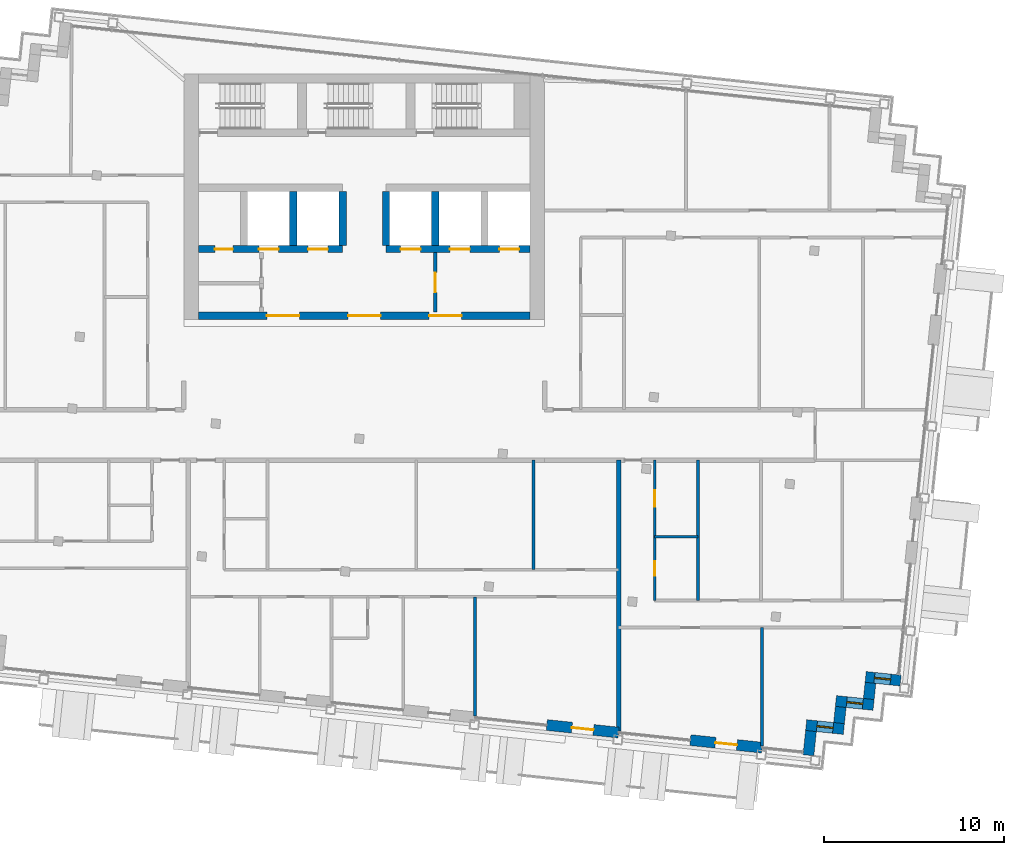
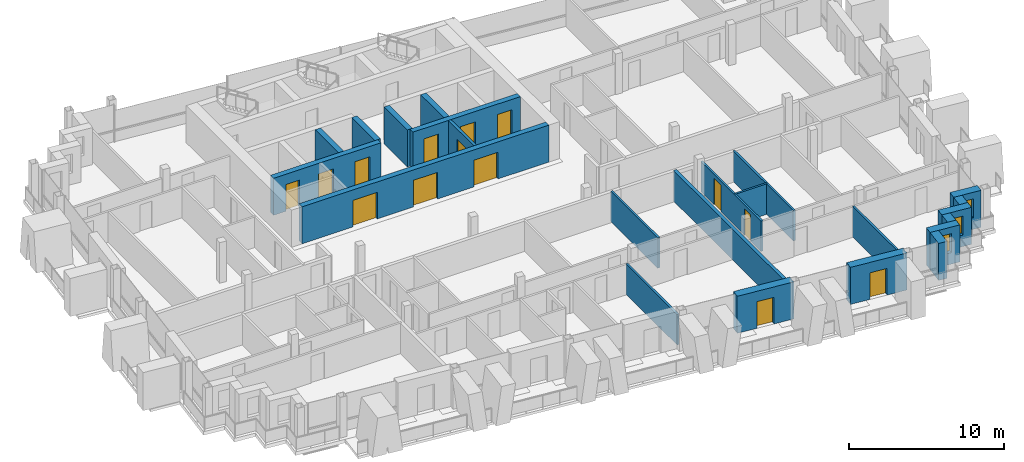
# One storey, part 10 of 16: 23 walls, 14 doors, 3 windows, 17 openings.
"""IFC4 building model written with IfcOpenShell, lengths in metres."""

from ifc_helpers import new_model, si_unit, direction, frame, frame_2d, origin, place, context, subcontext, project, spatial, rectangle, extrude, material, layer, layer_set, type_object, element, fill, save


model = new_model("IFC4")

# Units and contexts
model_context = context("Model", 3, precision=1e-05, world=origin(), true_north=direction((0.0, 1.0)))
body_context = subcontext(model_context, "Body", "Model", "MODEL_VIEW")
ifc_project = project(units=[si_unit("LENGTHUNIT", "METRE"), si_unit("AREAUNIT", "SQUARE_METRE"), si_unit("VOLUMEUNIT", "CUBIC_METRE"), si_unit("PLANEANGLEUNIT", "RADIAN"), si_unit("MASSUNIT", "GRAM", prefix="KILO")], contexts=[model_context])

# Site, building, storey
site_placement = place(None, origin())
site = spatial("IfcSite", under=ifc_project, at=site_placement, CompositionType="ELEMENT")
building_placement = place(site_placement, origin())
building = spatial("IfcBuilding", under=site, at=building_placement, Name="Vidyagriha Tower", CompositionType="ELEMENT")
storey_placement = place(building_placement, frame((0.0, 0.0, 259.5)))
storey = spatial("IfcBuildingStorey", under=building, at=storey_placement, Name="L67", CompositionType="ELEMENT", Elevation=259.5)

# Wall, opening, door
ifc_material_1 = material(Name="Precast concrete C40/50 with brick facing", Category="concrete")
ifc_layer_1 = layer(ifc_material_1, 0.60009765625)
ifc_layer_set_1 = layer_set([ifc_layer_1], Name="Precast concrete C40/50 with brick facing")
wall_type_1 = type_object("IfcWallType", Name="Brick-faced precast wall 600", PredefinedType="STANDARD", material=ifc_layer_set_1)
wall_1_placement = place(storey_placement, frame((10.1201171875, -16.085205078125, 0.0), z_axis=(0.0, 0.0, 1.0), x_axis=(0.994519156568, -0.104554517933, 0.0)))
wall_1 = element("IfcWall", 1, at=wall_1_placement, inside=storey, type_object=wall_type_1, Name="Brick door bay wall L67 R21.9", PredefinedType="STANDARD", context=body_context, shape_type="SweptSolid", body=[
    extrude(rectangle(XDim=4.0, YDim=0.60009765625, at=frame_2d((2.0, 0.0))), origin(), (0.0, 0.0, 1.0), 2.919921875),
])
opening_1_placement = place(wall_1_placement, frame((1.39990234375, 0.0, 0.0)))
opening_1 = element("IfcOpeningElement", 2, at=opening_1_placement, cuts=wall_1, Name="Opening D67-59", PredefinedType="OPENING", context=body_context, shape_type="SweptSolid", body=[
    extrude(rectangle(XDim=1.199951171875, YDim=2.10009765625, at=frame_2d((0.60009765625, 1.050048828125))), frame((0.0, 0.31005859375, 0.0), z_axis=(0.0, -1.0, 0.0), x_axis=(1.0, 0.0, 0.0)), (0.0, 0.0, 1.0), 0.6201171875),
])
ifc_material_2 = material(Name="Aluminium framed glazed sliding door", Category="aluminium")
door_type_1 = type_object("IfcDoorType", Name="Balcony sliding door 1200x2100", OperationType="NOTDEFINED", PredefinedType="DOOR", material=ifc_material_2)
door_1_placement = place(opening_1_placement, origin())
door_1 = element("IfcDoor", 3, at=door_1_placement, inside=storey, type_object=door_type_1, Name="Door D67-59", OperationType="SLIDING_TO_LEFT", OverallHeight=2.10009765625, OverallWidth=1.199951171875, PredefinedType="DOOR", context=body_context, shape_type="SweptSolid", body=[
    extrude(rectangle(XDim=1.199951171875, YDim=2.10009765625, at=frame_2d((0.60009765625, 1.050048828125))), frame((0.0, 0.02490234375, 0.0), z_axis=(0.0, -1.0, 0.0), x_axis=(1.0, 0.0, 0.0)), (0.0, 0.0, 1.0), 0.050048828125),
])
fill(opening_1, door_1)

wall_2_placement = place(storey_placement, frame((18.076171875, -16.92138671875, 0.0), z_axis=(0.0, 0.0, 1.0), x_axis=(0.994519156568, -0.104554517933, 0.0)))
wall_2 = element("IfcWall", 4, at=wall_2_placement, inside=storey, type_object=wall_type_1, Name="Brick door bay wall L67 R21.11", PredefinedType="STANDARD", context=body_context, shape_type="SweptSolid", body=[
    extrude(rectangle(XDim=4.0, YDim=0.60009765625, at=frame_2d((2.0, 0.0))), origin(), (0.0, 0.0, 1.0), 2.919921875),
])
opening_2_placement = place(wall_2_placement, frame((1.39990234375, 0.0, 0.0)))
opening_2 = element("IfcOpeningElement", 5, at=opening_2_placement, cuts=wall_2, Name="Opening D67-60", PredefinedType="OPENING", context=body_context, shape_type="SweptSolid", body=[
    extrude(rectangle(XDim=1.199951171875, YDim=2.10009765625, at=frame_2d((0.60009765625, 1.050048828125))), frame((0.0, 0.31005859375, 0.0), z_axis=(0.0, -1.0, 0.0), x_axis=(1.0, 0.0, 0.0)), (0.0, 0.0, 1.0), 0.6201171875),
])
door_2_placement = place(opening_2_placement, origin())
door_2 = element("IfcDoor", 6, at=door_2_placement, inside=storey, type_object=door_type_1, Name="Door D67-60", OperationType="SLIDING_TO_LEFT", OverallHeight=2.10009765625, OverallWidth=1.199951171875, PredefinedType="DOOR", context=body_context, shape_type="SweptSolid", body=[
    extrude(rectangle(XDim=1.199951171875, YDim=2.10009765625, at=frame_2d((0.60009765625, 1.050048828125))), frame((0.0, 0.02490234375, 0.0), z_axis=(0.0, -1.0, 0.0), x_axis=(1.0, 0.0, 0.0)), (0.0, 0.0, 1.0), 0.050048828125),
])
fill(opening_2, door_2)

# Wall
wall_3_placement = place(storey_placement, frame((24.62451171875, -17.760498046875, 0.0), z_axis=(0.0, 0.0, 1.0), x_axis=(0.104355269718, 0.994540083497, 0.0)))
element("IfcWall", 7, at=wall_3_placement, inside=storey, type_object=wall_type_1, Name="Stepped corner wall L67 R22", PredefinedType="STANDARD", context=body_context, shape_type="SweptSolid", body=[
    extrude(rectangle(XDim=1.349853515625, YDim=0.60009765625, at=frame_2d((0.6748046875, 0.0))), origin(), (0.0, 0.0, 1.0), 2.919921875),
])

# Wall, opening, window
wall_4_placement = place(storey_placement, frame((24.49853515625, -16.088134765625, 0.0), z_axis=(0.0, 0.0, 1.0), x_axis=(0.994522640205, -0.104521376379, 0.0)))
wall_4 = element("IfcWall", 8, at=wall_4_placement, inside=storey, type_object=wall_type_1, Name="Stepped corner wall L67 R23", PredefinedType="STANDARD", context=body_context, shape_type="SweptSolid", body=[
    extrude(rectangle(XDim=2.099853515625, YDim=0.60009765625, at=frame_2d((1.0498046875, 0.0))), origin(), (0.0, 0.0, 1.0), 2.919921875),
])
opening_3_placement = place(wall_4_placement, frame((0.60009765625, 0.0, 0.89990234375)))
opening_3 = element("IfcOpeningElement", 9, at=opening_3_placement, cuts=wall_4, Name="Opening WN1", PredefinedType="OPENING", context=body_context, shape_type="SweptSolid", body=[
    extrude(rectangle(XDim=0.89990234375, YDim=1.5, at=frame_2d((0.449951171875, 0.75))), frame((0.0, 0.31005859375, 0.0), z_axis=(0.0, -1.0, 0.0), x_axis=(1.0, 0.0, 0.0)), (0.0, 0.0, 1.0), 0.6201171875),
])
ifc_material_3 = material(Name="Aluminium and glass window", Category="aluminium")
window_type = type_object("IfcWindowType", Name="Reveal window 900x1500", PartitioningType="NOTDEFINED", PredefinedType="WINDOW", material=ifc_material_3)
window_1_placement = place(opening_3_placement, origin())
window_1 = element("IfcWindow", 10, at=window_1_placement, inside=storey, type_object=window_type, Name="Reveal window L67 R23", OverallHeight=1.5, OverallWidth=0.89990234375, PartitioningType="SINGLE_PANEL", PredefinedType="WINDOW", context=body_context, shape_type="SweptSolid", body=[
    extrude(rectangle(XDim=0.89990234375, YDim=1.5, at=frame_2d((0.449951171875, 0.75))), frame((0.0, 0.030029296875, 0.0), z_axis=(0.0, -1.0, 0.0), x_axis=(1.0, 0.0, 0.0)), (0.0, 0.0, 1.0), 0.06005859375),
])
fill(opening_3, window_1)

# Wall
wall_5_placement = place(storey_placement, frame((26.320068359375, -15.97802734375, 0.0), z_axis=(0.0, 0.0, 1.0), x_axis=(0.104444712852, 0.994530694326, 0.0)))
element("IfcWall", 11, at=wall_5_placement, inside=storey, type_object=wall_type_1, Name="Stepped corner wall L67 R24", PredefinedType="STANDARD", context=body_context, shape_type="SweptSolid", body=[
    extrude(rectangle(XDim=0.89990234375, YDim=0.60009765625, at=frame_2d((0.449951171875, 0.0))), origin(), (0.0, 0.0, 1.0), 2.919921875),
])

# Wall, opening, window
wall_6_placement = place(storey_placement, frame((26.147216796875, -14.753173828125, 0.0), z_axis=(0.0, 0.0, 1.0), x_axis=(0.994522640205, -0.104521376379, 0.0)))
wall_6 = element("IfcWall", 12, at=wall_6_placement, inside=storey, type_object=wall_type_1, Name="Stepped corner wall L67 R25", PredefinedType="STANDARD", context=body_context, shape_type="SweptSolid", body=[
    extrude(rectangle(XDim=2.099853515625, YDim=0.60009765625, at=frame_2d((1.0498046875, 0.0))), origin(), (0.0, 0.0, 1.0), 2.919921875),
])
opening_4_placement = place(wall_6_placement, frame((0.599853515625, 0.0, 0.89990234375)))
opening_4 = element("IfcOpeningElement", 13, at=opening_4_placement, cuts=wall_6, Name="Opening WN1", PredefinedType="OPENING", context=body_context, shape_type="SweptSolid", body=[
    extrude(rectangle(XDim=0.89990234375, YDim=1.5, at=frame_2d((0.449951171875, 0.75))), frame((0.0, 0.31005859375, 0.0), z_axis=(0.0, -1.0, 0.0), x_axis=(1.0, 0.0, 0.0)), (0.0, 0.0, 1.0), 0.6201171875),
])
window_2_placement = place(opening_4_placement, origin())
window_2 = element("IfcWindow", 14, at=window_2_placement, inside=storey, type_object=window_type, Name="Reveal window L67 R25", OverallHeight=1.5, OverallWidth=0.89990234375, PartitioningType="SINGLE_PANEL", PredefinedType="WINDOW", context=body_context, shape_type="SweptSolid", body=[
    extrude(rectangle(XDim=0.89990234375, YDim=1.5, at=frame_2d((0.449951171875, 0.75))), frame((0.0, 0.030029296875, 0.0), z_axis=(0.0, -1.0, 0.0), x_axis=(1.0, 0.0, 0.0)), (0.0, 0.0, 1.0), 0.06005859375),
])
fill(opening_4, window_2)

# Wall
wall_7_placement = place(storey_placement, frame((27.968505859375, -14.64306640625, 0.0), z_axis=(0.0, 0.0, 1.0), x_axis=(0.104416541099, 0.994533652495, 0.0)))
element("IfcWall", 15, at=wall_7_placement, inside=storey, type_object=wall_type_1, Name="Stepped corner wall L67 R26", PredefinedType="STANDARD", context=body_context, shape_type="SweptSolid", body=[
    extrude(rectangle(XDim=0.900146484375, YDim=0.60009765625, at=frame_2d((0.4501953125, 0.0))), origin(), (0.0, 0.0, 1.0), 2.919921875),
])

# Wall, opening, window
wall_8_placement = place(storey_placement, frame((27.795654296875, -13.418212890625, 0.0), z_axis=(0.0, 0.0, 1.0), x_axis=(0.994519850893, -0.104547913319, 0.0)))
wall_8 = element("IfcWall", 16, at=wall_8_placement, inside=storey, type_object=wall_type_1, Name="Stepped corner wall L67 R27", PredefinedType="STANDARD", context=body_context, shape_type="SweptSolid", body=[
    extrude(rectangle(XDim=1.949951171875, YDim=0.60009765625, at=frame_2d((0.97509765625, 0.0))), origin(), (0.0, 0.0, 1.0), 2.919921875),
])
opening_5_placement = place(wall_8_placement, frame((0.489990234375, 0.0, 0.89990234375)))
opening_5 = element("IfcOpeningElement", 17, at=opening_5_placement, cuts=wall_8, Name="Opening WN1", PredefinedType="OPENING", context=body_context, shape_type="SweptSolid", body=[
    extrude(rectangle(XDim=0.89990234375, YDim=1.5, at=frame_2d((0.449951171875, 0.75))), frame((0.0, 0.31005859375, 0.0), z_axis=(0.0, -1.0, 0.0), x_axis=(1.0, 0.0, 0.0)), (0.0, 0.0, 1.0), 0.6201171875),
])
window_3_placement = place(opening_5_placement, origin())
window_3 = element("IfcWindow", 18, at=window_3_placement, inside=storey, type_object=window_type, Name="Reveal window L67 R27", OverallHeight=1.5, OverallWidth=0.89990234375, PartitioningType="SINGLE_PANEL", PredefinedType="WINDOW", context=body_context, shape_type="SweptSolid", body=[
    extrude(rectangle(XDim=0.89990234375, YDim=1.5, at=frame_2d((0.449951171875, 0.75))), frame((0.0, 0.030029296875, 0.0), z_axis=(0.0, -1.0, 0.0), x_axis=(1.0, 0.0, 0.0)), (0.0, 0.0, 1.0), 0.06005859375),
])
fill(opening_5, window_3)

# Wall, openings, doors
ifc_material_4 = material(Name="Concrete C60/75", Category="concrete")
ifc_layer_2 = layer(ifc_material_4, 0.39990234375)
ifc_layer_set_2 = layer_set([ifc_layer_2], Name="Concrete C60/75")
wall_type_2 = type_object("IfcWallType", Name="Core shear wall 400 mm", PredefinedType="SHEAR", material=ifc_layer_set_2)
wall_9_placement = place(storey_placement, frame((-9.199951171875, 6.60009765625, 0.0)))
wall_9 = element("IfcWall", 19, at=wall_9_placement, inside=storey, type_object=wall_type_2, Name="Core south wall", PredefinedType="SHEAR", context=body_context, shape_type="SweptSolid", body=[
    extrude(rectangle(XDim=18.39990234375, YDim=0.39990234375, at=frame_2d((9.199951171875, 0.0))), origin(), (0.0, 0.0, 1.0), 2.919921875),
])
opening_6_placement = place(wall_9_placement, frame((8.300048828125, 0.0, 0.0)))
opening_6 = element("IfcOpeningElement", 20, at=opening_6_placement, cuts=wall_9, Name="Opening D67-01", PredefinedType="OPENING", context=body_context, shape_type="SweptSolid", body=[
    extrude(rectangle(XDim=1.800048828125, YDim=2.10009765625, at=frame_2d((0.89990234375, 1.050048828125))), frame((0.0, 0.2099609375, 0.0), z_axis=(0.0, -1.0, 0.0), x_axis=(1.0, 0.0, 0.0)), (0.0, 0.0, 1.0), 0.419921875),
])
opening_7_placement = place(wall_9_placement, frame((3.800048828125, 0.0, 0.0)))
opening_7 = element("IfcOpeningElement", 21, at=opening_7_placement, cuts=wall_9, Name="Opening D67-02", PredefinedType="OPENING", context=body_context, shape_type="SweptSolid", body=[
    extrude(rectangle(XDim=1.800048828125, YDim=2.10009765625, at=frame_2d((0.89990234375, 1.050048828125))), frame((0.0, 0.2099609375, 0.0), z_axis=(0.0, -1.0, 0.0), x_axis=(1.0, 0.0, 0.0)), (0.0, 0.0, 1.0), 0.419921875),
])
opening_8_placement = place(wall_9_placement, frame((12.800048828125, 0.0, 0.0)))
opening_8 = element("IfcOpeningElement", 22, at=opening_8_placement, cuts=wall_9, Name="Opening D67-03", PredefinedType="OPENING", context=body_context, shape_type="SweptSolid", body=[
    extrude(rectangle(XDim=1.800048828125, YDim=2.10009765625, at=frame_2d((0.89990234375, 1.050048828125))), frame((0.0, 0.2099609375, 0.0), z_axis=(0.0, -1.0, 0.0), x_axis=(1.0, 0.0, 0.0)), (0.0, 0.0, 1.0), 0.419921875),
])
ifc_material_5 = material(Name="Hollow metal door leaf")
door_type_2 = type_object("IfcDoorType", Name="Core lobby double door 1800 x 2100 mm EI 60", OperationType="NOTDEFINED", PredefinedType="DOOR", material=ifc_material_5)
door_3_placement = place(opening_6_placement, frame((1.800048828125, 0.0, 0.0), z_axis=(0.0, 0.0, 1.0), x_axis=(-1.0, 0.0, 0.0)))
door_3 = element("IfcDoor", 23, at=door_3_placement, inside=storey, type_object=door_type_2, Name="Core entrance door L67", OperationType="DOUBLE_DOOR_SINGLE_SWING", OverallHeight=2.10009765625, OverallWidth=1.800048828125, PredefinedType="DOOR", context=body_context, shape_type="SweptSolid", body=[
    extrude(rectangle(XDim=1.800048828125, YDim=2.10009765625, at=frame_2d((0.89990234375, 1.050048828125))), frame((0.0, 0.02490234375, 0.0), z_axis=(0.0, -1.0, 0.0), x_axis=(1.0, 0.0, 0.0)), (0.0, 0.0, 1.0), 0.050048828125),
])
fill(opening_6, door_3)
door_4_placement = place(opening_7_placement, frame((1.800048828125, 0.0, 0.0), z_axis=(0.0, 0.0, 1.0), x_axis=(-1.0, 0.0, 0.0)))
door_4 = element("IfcDoor", 24, at=door_4_placement, inside=storey, type_object=door_type_2, Name="Core entrance door west L67", OperationType="DOUBLE_DOOR_SINGLE_SWING", OverallHeight=2.10009765625, OverallWidth=1.800048828125, PredefinedType="DOOR", context=body_context, shape_type="SweptSolid", body=[
    extrude(rectangle(XDim=1.800048828125, YDim=2.10009765625, at=frame_2d((0.89990234375, 1.050048828125))), frame((0.0, 0.02490234375, 0.0), z_axis=(0.0, -1.0, 0.0), x_axis=(1.0, 0.0, 0.0)), (0.0, 0.0, 1.0), 0.050048828125),
])
fill(opening_7, door_4)
door_5_placement = place(opening_8_placement, frame((1.800048828125, 0.0, 0.0), z_axis=(0.0, 0.0, 1.0), x_axis=(-1.0, 0.0, 0.0)))
door_5 = element("IfcDoor", 25, at=door_5_placement, inside=storey, type_object=door_type_2, Name="Core entrance door east L67", OperationType="DOUBLE_DOOR_SINGLE_SWING", OverallHeight=2.10009765625, OverallWidth=1.800048828125, PredefinedType="DOOR", context=body_context, shape_type="SweptSolid", body=[
    extrude(rectangle(XDim=1.800048828125, YDim=2.10009765625, at=frame_2d((0.89990234375, 1.050048828125))), frame((0.0, 0.02490234375, 0.0), z_axis=(0.0, -1.0, 0.0), x_axis=(1.0, 0.0, 0.0)), (0.0, 0.0, 1.0), 0.050048828125),
])
fill(opening_8, door_5)

wall_10_placement = place(storey_placement, frame((-9.199951171875, 10.300048828125, 0.0)))
wall_10 = element("IfcWall", 26, at=wall_10_placement, inside=storey, type_object=wall_type_2, Name="Core row N front wall", PredefinedType="SHEAR", context=body_context, shape_type="SweptSolid", body=[
    extrude(rectangle(XDim=8.0, YDim=0.39990234375, at=frame_2d((4.0, 0.0))), origin(), (0.0, 0.0, 1.0), 2.919921875),
])
opening_9_placement = place(wall_10_placement, frame((3.35009765625, 0.0, 0.0)))
opening_9 = element("IfcOpeningElement", 27, at=opening_9_placement, cuts=wall_10, Name="Opening LD67-01", PredefinedType="OPENING", context=body_context, shape_type="SweptSolid", body=[
    extrude(rectangle(XDim=1.10009765625, YDim=2.10009765625, at=frame_2d((0.550048828125, 1.050048828125))), frame((0.0, 0.2099609375, 0.0), z_axis=(0.0, -1.0, 0.0), x_axis=(1.0, 0.0, 0.0)), (0.0, 0.0, 1.0), 0.419921875),
])
opening_10_placement = place(wall_10_placement, frame((6.083251953125, 0.0, 0.0)))
opening_10 = element("IfcOpeningElement", 28, at=opening_10_placement, cuts=wall_10, Name="Opening LD67-02", PredefinedType="OPENING", context=body_context, shape_type="SweptSolid", body=[
    extrude(rectangle(XDim=1.10009765625, YDim=2.10009765625, at=frame_2d((0.550048828125, 1.050048828125))), frame((0.0, 0.2099609375, 0.0), z_axis=(0.0, -1.0, 0.0), x_axis=(1.0, 0.0, 0.0)), (0.0, 0.0, 1.0), 0.419921875),
])
opening_11_placement = place(wall_10_placement, frame((0.916748046875, 0.0, 0.0)))
opening_11 = element("IfcOpeningElement", 29, at=opening_11_placement, cuts=wall_10, Name="Opening D67-04", PredefinedType="OPENING", context=body_context, shape_type="SweptSolid", body=[
    extrude(rectangle(XDim=1.0, YDim=2.10009765625, at=frame_2d((0.5, 1.050048828125))), frame((0.0, 0.2099609375, 0.0), z_axis=(0.0, -1.0, 0.0), x_axis=(1.0, 0.0, 0.0)), (0.0, 0.0, 1.0), 0.419921875),
])
ifc_material_6 = material(Name="Hollow metal door leaf")
door_type_3 = type_object("IfcDoorType", Name="Core room door 1000 x 2100 mm EI 60", OperationType="NOTDEFINED", PredefinedType="DOOR", material=ifc_material_6)
door_6_placement = place(opening_11_placement, frame((1.0, 0.0, 0.0), z_axis=(0.0, 0.0, 1.0), x_axis=(-1.0, 0.0, 0.0)))
door_6 = element("IfcDoor", 30, at=door_6_placement, inside=storey, type_object=door_type_3, Name="Door Refuse Room 67.14", OperationType="SINGLE_SWING_RIGHT", OverallHeight=2.10009765625, OverallWidth=1.0, PredefinedType="DOOR", context=body_context, shape_type="SweptSolid", body=[
    extrude(rectangle(XDim=1.0, YDim=2.10009765625, at=frame_2d((0.5, 1.050048828125))), frame((0.0, 0.02490234375, 0.0), z_axis=(0.0, -1.0, 0.0), x_axis=(1.0, 0.0, 0.0)), (0.0, 0.0, 1.0), 0.050048828125),
])
fill(opening_11, door_6)
ifc_material_7 = material(Name="Stainless steel sliding door panel", Category="steel")
door_type_4 = type_object("IfcDoorType", Name="Lift landing door 1100 x 2100 mm EI 90", OperationType="NOTDEFINED", PredefinedType="DOOR", material=ifc_material_7)
door_7_placement = place(opening_9_placement, origin())
door_7 = element("IfcDoor", 31, at=door_7_placement, inside=storey, type_object=door_type_4, Name="Landing door HR1 L67", OperationType="SLIDING_TO_LEFT", OverallHeight=2.10009765625, OverallWidth=1.10009765625, PredefinedType="DOOR", context=body_context, shape_type="SweptSolid", body=[
    extrude(rectangle(XDim=1.10009765625, YDim=2.10009765625, at=frame_2d((0.550048828125, 1.050048828125))), frame((0.0, 0.02490234375, 0.0), z_axis=(0.0, -1.0, 0.0), x_axis=(1.0, 0.0, 0.0)), (0.0, 0.0, 1.0), 0.050048828125),
])
fill(opening_9, door_7)
door_8_placement = place(opening_10_placement, origin())
door_8 = element("IfcDoor", 32, at=door_8_placement, inside=storey, type_object=door_type_4, Name="Landing door HR2 L67", OperationType="SLIDING_TO_LEFT", OverallHeight=2.10009765625, OverallWidth=1.10009765625, PredefinedType="DOOR", context=body_context, shape_type="SweptSolid", body=[
    extrude(rectangle(XDim=1.10009765625, YDim=2.10009765625, at=frame_2d((0.550048828125, 1.050048828125))), frame((0.0, 0.02490234375, 0.0), z_axis=(0.0, -1.0, 0.0), x_axis=(1.0, 0.0, 0.0)), (0.0, 0.0, 1.0), 0.050048828125),
])
fill(opening_10, door_8)

wall_11_placement = place(storey_placement, frame((1.199951171875, 10.300048828125, 0.0)))
wall_11 = element("IfcWall", 33, at=wall_11_placement, inside=storey, type_object=wall_type_2, Name="Core row N front wall", PredefinedType="SHEAR", context=body_context, shape_type="SweptSolid", body=[
    extrude(rectangle(XDim=8.0, YDim=0.39990234375, at=frame_2d((4.0, 0.0))), origin(), (0.0, 0.0, 1.0), 2.919921875),
])
opening_12_placement = place(wall_11_placement, frame((0.816650390625, 0.0, 0.0)))
opening_12 = element("IfcOpeningElement", 34, at=opening_12_placement, cuts=wall_11, Name="Opening LD67-03", PredefinedType="OPENING", context=body_context, shape_type="SweptSolid", body=[
    extrude(rectangle(XDim=1.10009765625, YDim=2.10009765625, at=frame_2d((0.550048828125, 1.050048828125))), frame((0.0, 0.2099609375, 0.0), z_axis=(0.0, -1.0, 0.0), x_axis=(1.0, 0.0, 0.0)), (0.0, 0.0, 1.0), 0.419921875),
])
opening_13_placement = place(wall_11_placement, frame((3.550048828125, 0.0, 0.0)))
opening_13 = element("IfcOpeningElement", 35, at=opening_13_placement, cuts=wall_11, Name="Opening LD67-04", PredefinedType="OPENING", context=body_context, shape_type="SweptSolid", body=[
    extrude(rectangle(XDim=1.10009765625, YDim=2.10009765625, at=frame_2d((0.550048828125, 1.050048828125))), frame((0.0, 0.2099609375, 0.0), z_axis=(0.0, -1.0, 0.0), x_axis=(1.0, 0.0, 0.0)), (0.0, 0.0, 1.0), 0.419921875),
])
opening_14_placement = place(wall_11_placement, frame((6.283203125, 0.0, 0.0)))
opening_14 = element("IfcOpeningElement", 36, at=opening_14_placement, cuts=wall_11, Name="Opening LD67-05", PredefinedType="OPENING", context=body_context, shape_type="SweptSolid", body=[
    extrude(rectangle(XDim=1.10009765625, YDim=2.10009765625, at=frame_2d((0.550048828125, 1.050048828125))), frame((0.0, 0.2099609375, 0.0), z_axis=(0.0, -1.0, 0.0), x_axis=(1.0, 0.0, 0.0)), (0.0, 0.0, 1.0), 0.419921875),
])
door_9_placement = place(opening_12_placement, origin())
door_9 = element("IfcDoor", 37, at=door_9_placement, inside=storey, type_object=door_type_4, Name="Landing door HR3 L67", OperationType="SLIDING_TO_LEFT", OverallHeight=2.10009765625, OverallWidth=1.10009765625, PredefinedType="DOOR", context=body_context, shape_type="SweptSolid", body=[
    extrude(rectangle(XDim=1.10009765625, YDim=2.10009765625, at=frame_2d((0.550048828125, 1.050048828125))), frame((0.0, 0.02490234375, 0.0), z_axis=(0.0, -1.0, 0.0), x_axis=(1.0, 0.0, 0.0)), (0.0, 0.0, 1.0), 0.050048828125),
])
fill(opening_12, door_9)
door_10_placement = place(opening_13_placement, origin())
door_10 = element("IfcDoor", 38, at=door_10_placement, inside=storey, type_object=door_type_4, Name="Landing door FF1 L67", OperationType="SLIDING_TO_LEFT", OverallHeight=2.10009765625, OverallWidth=1.10009765625, PredefinedType="DOOR", context=body_context, shape_type="SweptSolid", body=[
    extrude(rectangle(XDim=1.10009765625, YDim=2.10009765625, at=frame_2d((0.550048828125, 1.050048828125))), frame((0.0, 0.02490234375, 0.0), z_axis=(0.0, -1.0, 0.0), x_axis=(1.0, 0.0, 0.0)), (0.0, 0.0, 1.0), 0.050048828125),
])
fill(opening_13, door_10)
door_11_placement = place(opening_14_placement, origin())
door_11 = element("IfcDoor", 39, at=door_11_placement, inside=storey, type_object=door_type_4, Name="Landing door FF2 L67", OperationType="SLIDING_TO_LEFT", OverallHeight=2.10009765625, OverallWidth=1.10009765625, PredefinedType="DOOR", context=body_context, shape_type="SweptSolid", body=[
    extrude(rectangle(XDim=1.10009765625, YDim=2.10009765625, at=frame_2d((0.550048828125, 1.050048828125))), frame((0.0, 0.02490234375, 0.0), z_axis=(0.0, -1.0, 0.0), x_axis=(1.0, 0.0, 0.0)), (0.0, 0.0, 1.0), 0.050048828125),
])
fill(opening_14, door_11)

# Walls
for number, where, z_axis, x_axis, name in (
    (40, (-3.933349609375, 10.5, 0.0), (0.0, 0.0, 1.0), (0.0, 1.0, 0.0), "Core bay wall N2"),
    (41, (-1.199951171875, 10.5, 0.0), (0.0, 0.0, 1.0), (0.0, 1.0, 0.0), "Core bay wall N3"),
    (42, (1.199951171875, 10.5, 0.0), (0.0, 0.0, 1.0), (0.0, 1.0, 0.0), "Core bay wall N4"),
    (43, (3.933349609375, 10.5, 0.0), (0.0, 0.0, 1.0), (0.0, 1.0, 0.0), "Core bay wall N5"),
):
    element("IfcWall", number, at=place(storey_placement, frame(where, z_axis=z_axis, x_axis=x_axis)), inside=storey, type_object=wall_type_2, Name=name, PredefinedType="SHEAR", context=body_context, shape_type="SweptSolid", body=[
        extrude(rectangle(XDim=3.0, YDim=0.39990234375, at=frame_2d((1.5, 0.0))), origin(), (0.0, 0.0, 1.0), 2.919921875),
    ])
ifc_material_8 = material(Name="Fired clay brick masonry", Category="masonry")
ifc_layer_3 = layer(ifc_material_8, 0.25)
ifc_layer_set_3 = layer_set([ifc_layer_3], Name="Fired clay brick masonry")
wall_type_3 = type_object("IfcWallType", Name="Fired clay brick demising wall 250", PredefinedType="PARTITIONING", material=ifc_layer_set_3)
wall_12_placement = place(storey_placement, frame((14.097900390625, -1.39990234375, 0.0), z_axis=(0.0, 0.0, 1.0), x_axis=(0.0, -1.0, 0.0)))
element("IfcWall", 44, at=wall_12_placement, inside=storey, type_object=wall_type_3, Name="Wall all-L67-w055", PredefinedType="PARTITIONING", context=body_context, shape_type="SweptSolid", body=[
    extrude(rectangle(XDim=15.012939453125, YDim=0.25, at=frame_2d((7.50634765625, 0.0))), origin(), (0.0, 0.0, 1.0), 2.39990234375),
])
ifc_material_9 = material(Name="Gypsum board partition")
ifc_layer_4 = layer(ifc_material_9, 0.14990234375)
ifc_layer_set_4 = layer_set([ifc_layer_4], Name="Gypsum board partition")
wall_type_4 = type_object("IfcWallType", Name="Gypsum board partition 150", PredefinedType="PARTITIONING", material=ifc_layer_set_4)
wall_13_placement = place(storey_placement, frame((9.3798828125, -1.39990234375, 0.0), z_axis=(0.0, 0.0, 1.0), x_axis=(0.0, -1.0, 0.0)))
element("IfcWall", 45, at=wall_13_placement, inside=storey, type_object=wall_type_4, Name="Wall all-L67-w019", PredefinedType="PARTITIONING", context=body_context, shape_type="SweptSolid", body=[
    extrude(rectangle(XDim=6.07470703125, YDim=0.14990234375, at=frame_2d((3.037353515625, 0.0))), origin(), (0.0, 0.0, 1.0), 2.39990234375),
])
wall_14_placement = place(storey_placement, frame((6.141845703125, -8.974609375, 0.0), z_axis=(0.0, 0.0, 1.0), x_axis=(0.0, -1.0, 0.0)))
element("IfcWall", 46, at=wall_14_placement, inside=storey, type_object=wall_type_4, Name="Wall all-L67-w033", PredefinedType="PARTITIONING", context=body_context, shape_type="SweptSolid", body=[
    extrude(rectangle(XDim=6.60205078125, YDim=0.14990234375, at=frame_2d((3.301025390625, 0.0))), origin(), (0.0, 0.0, 1.0), 2.39990234375),
])
wall_15_placement = place(storey_placement, frame((18.498046875, -5.64990234375, 0.0), z_axis=(0.0, 0.0, 1.0), x_axis=(-1.0, 0.0, 0.0)))
element("IfcWall", 47, at=wall_15_placement, inside=storey, type_object=wall_type_4, Name="Wall all-L67-w042", PredefinedType="PARTITIONING", context=body_context, shape_type="SweptSolid", body=[
    extrude(rectangle(XDim=2.400146484375, YDim=0.14990234375, at=frame_2d((1.2001953125, 0.0))), origin(), (0.0, 0.0, 1.0), 2.39990234375),
])
wall_16_placement = place(storey_placement, frame((18.498046875, -1.39990234375, 0.0), z_axis=(0.0, 0.0, 1.0), x_axis=(0.0, -1.0, 0.0)))
element("IfcWall", 48, at=wall_16_placement, inside=storey, type_object=wall_type_4, Name="Wall all-L67-w043", PredefinedType="PARTITIONING", context=body_context, shape_type="SweptSolid", body=[
    extrude(rectangle(XDim=7.78173828125, YDim=0.14990234375, at=frame_2d((3.890869140625, 0.0))), origin(), (0.0, 0.0, 1.0), 2.39990234375),
])
wall_17_placement = place(storey_placement, frame((22.05419921875, -10.681640625, 0.0), z_axis=(0.0, 0.0, 1.0), x_axis=(0.0, -1.0, 0.0)))
element("IfcWall", 49, at=wall_17_placement, inside=storey, type_object=wall_type_4, Name="Wall all-L67-w053", PredefinedType="PARTITIONING", context=body_context, shape_type="SweptSolid", body=[
    extrude(rectangle(XDim=6.5673828125, YDim=0.14990234375, at=frame_2d((3.28369140625, 0.0))), origin(), (0.0, 0.0, 1.0), 2.39990234375),
])

# Wall, openings, doors
ifc_material_10 = material(Name="Moisture resistant gypsum board partition")
ifc_layer_5 = layer(ifc_material_10, 0.14990234375)
ifc_layer_set_5 = layer_set([ifc_layer_5], Name="Moisture resistant gypsum board partition")
wall_type_5 = type_object("IfcWallType", Name="Gypsum board wet-area partition 150", PredefinedType="PARTITIONING", material=ifc_layer_set_5)
wall_18_placement = place(storey_placement, frame((16.097900390625, -1.39990234375, 0.0), z_axis=(0.0, 0.0, 1.0), x_axis=(0.0, -1.0, 0.0)))
wall_18 = element("IfcWall", 50, at=wall_18_placement, inside=storey, type_object=wall_type_5, Name="Wall all-L67-w039", PredefinedType="PARTITIONING", context=body_context, shape_type="SweptSolid", body=[
    extrude(rectangle(XDim=7.78173828125, YDim=0.14990234375, at=frame_2d((3.890869140625, 0.0))), origin(), (0.0, 0.0, 1.0), 2.39990234375),
])
opening_15_placement = place(wall_18_placement, frame((1.675048828125, 0.0, 0.0)))
opening_15 = element("IfcOpeningElement", 51, at=opening_15_placement, cuts=wall_18, Name="Opening D67-29", PredefinedType="OPENING", context=body_context, shape_type="SweptSolid", body=[
    extrude(rectangle(XDim=0.89990234375, YDim=2.10009765625, at=frame_2d((0.449951171875, 1.050048828125))), frame((0.0, 0.0849609375, 0.0), z_axis=(0.0, -1.0, 0.0), x_axis=(1.0, 0.0, 0.0)), (0.0, 0.0, 1.0), 0.169921875),
])
opening_16_placement = place(wall_18_placement, frame((5.61572265625, 0.0, 0.0)))
opening_16 = element("IfcOpeningElement", 52, at=opening_16_placement, cuts=wall_18, Name="Opening D67-30", PredefinedType="OPENING", context=body_context, shape_type="SweptSolid", body=[
    extrude(rectangle(XDim=0.800048828125, YDim=2.10009765625, at=frame_2d((0.39990234375, 1.050048828125))), frame((0.0, 0.0849609375, 0.0), z_axis=(0.0, -1.0, 0.0), x_axis=(1.0, 0.0, 0.0)), (0.0, 0.0, 1.0), 0.169921875),
])
ifc_material_11 = material(Name="Timber door leaf", Category="wood")
door_type_5 = type_object("IfcDoorType", Name="Bathroom door 800x2100", OperationType="NOTDEFINED", PredefinedType="DOOR", material=ifc_material_11)
door_12_placement = place(opening_16_placement, origin())
door_12 = element("IfcDoor", 53, at=door_12_placement, inside=storey, type_object=door_type_5, Name="Door D67-30", OperationType="SINGLE_SWING_RIGHT", OverallHeight=2.10009765625, OverallWidth=0.800048828125, PredefinedType="DOOR", context=body_context, shape_type="SweptSolid", body=[
    extrude(rectangle(XDim=0.800048828125, YDim=2.10009765625, at=frame_2d((0.39990234375, 1.050048828125))), frame((0.0, 0.02490234375, 0.0), z_axis=(0.0, -1.0, 0.0), x_axis=(1.0, 0.0, 0.0)), (0.0, 0.0, 1.0), 0.050048828125),
])
fill(opening_16, door_12)
ifc_material_12 = material(Name="Timber door leaf", Category="wood")
door_type_6 = type_object("IfcDoorType", Name="Kitchen door 900x2100", OperationType="NOTDEFINED", PredefinedType="DOOR", material=ifc_material_12)
door_13_placement = place(opening_15_placement, origin())
door_13 = element("IfcDoor", 54, at=door_13_placement, inside=storey, type_object=door_type_6, Name="Door D67-29", OperationType="SINGLE_SWING_LEFT", OverallHeight=2.10009765625, OverallWidth=0.89990234375, PredefinedType="DOOR", context=body_context, shape_type="SweptSolid", body=[
    extrude(rectangle(XDim=0.89990234375, YDim=2.10009765625, at=frame_2d((0.449951171875, 1.050048828125))), frame((0.0, 0.02490234375, 0.0), z_axis=(0.0, -1.0, 0.0), x_axis=(1.0, 0.0, 0.0)), (0.0, 0.0, 1.0), 0.050048828125),
])
fill(opening_15, door_13)

# Wall, opening, door
ifc_material_13 = material(Name="Blockwork 15 MPa", Category="masonry")
ifc_layer_6 = layer(ifc_material_13, 0.199951171875)
ifc_layer_set_6 = layer_set([ifc_layer_6], Name="Blockwork 15 MPa")
wall_type_6 = type_object("IfcWallType", Name="Service room partition 200 mm", PredefinedType="PARTITIONING", material=ifc_layer_set_6)
wall_19_placement = place(storey_placement, frame((3.933349609375, 6.800048828125, 0.0), z_axis=(0.0, 0.0, 1.0), x_axis=(0.0, 1.0, 0.0)))
wall_19 = element("IfcWall", 55, at=wall_19_placement, inside=storey, type_object=wall_type_6, Name="Fire-fighting lobby west wall", PredefinedType="PARTITIONING", context=body_context, shape_type="SweptSolid", body=[
    extrude(rectangle(XDim=3.300048828125, YDim=0.199951171875, at=frame_2d((1.64990234375, 0.0))), origin(), (0.0, 0.0, 1.0), 2.919921875),
])
opening_17_placement = place(wall_19_placement, frame((1.10009765625, 0.0, 0.0)))
opening_17 = element("IfcOpeningElement", 56, at=opening_17_placement, cuts=wall_19, Name="Opening D67-05", PredefinedType="OPENING", context=body_context, shape_type="SweptSolid", body=[
    extrude(rectangle(XDim=1.10009765625, YDim=2.10009765625, at=frame_2d((0.550048828125, 1.050048828125))), frame((0.0, 0.10986328125, 0.0), z_axis=(0.0, -1.0, 0.0), x_axis=(1.0, 0.0, 0.0)), (0.0, 0.0, 1.0), 0.219970703125),
])
ifc_material_14 = material(Name="Hollow metal door leaf")
door_type_7 = type_object("IfcDoorType", Name="Fire-fighting lobby door 1100 x 2100 mm EI 90", OperationType="NOTDEFINED", PredefinedType="DOOR", material=ifc_material_14)
door_14_placement = place(opening_17_placement, origin())
door_14 = element("IfcDoor", 57, at=door_14_placement, inside=storey, type_object=door_type_7, Name="Fire-fighting lobby door L67", OperationType="SINGLE_SWING_RIGHT", OverallHeight=2.10009765625, OverallWidth=1.10009765625, PredefinedType="DOOR", context=body_context, shape_type="SweptSolid", body=[
    extrude(rectangle(XDim=1.10009765625, YDim=2.10009765625, at=frame_2d((0.550048828125, 1.050048828125))), frame((0.0, 0.02490234375, 0.0), z_axis=(0.0, -1.0, 0.0), x_axis=(1.0, 0.0, 0.0)), (0.0, 0.0, 1.0), 0.050048828125),
])
fill(opening_17, door_14)

save(model, "model.ifc")
